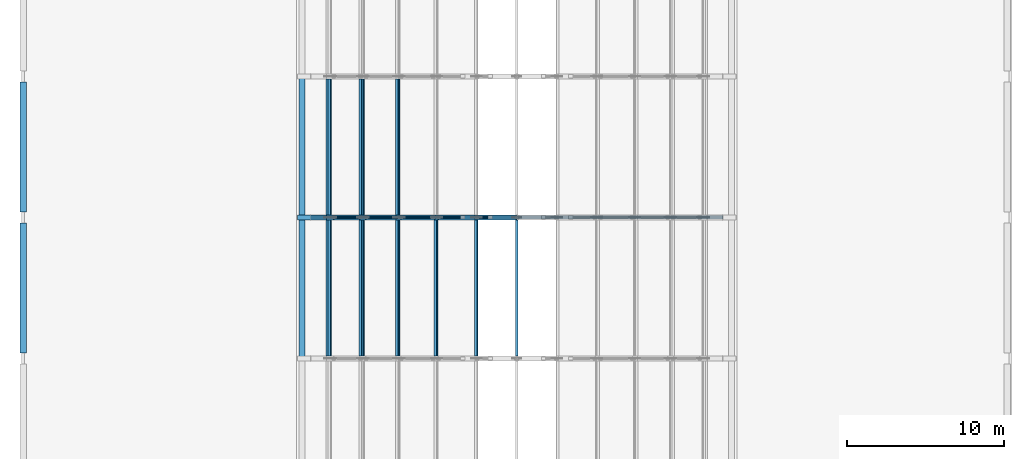
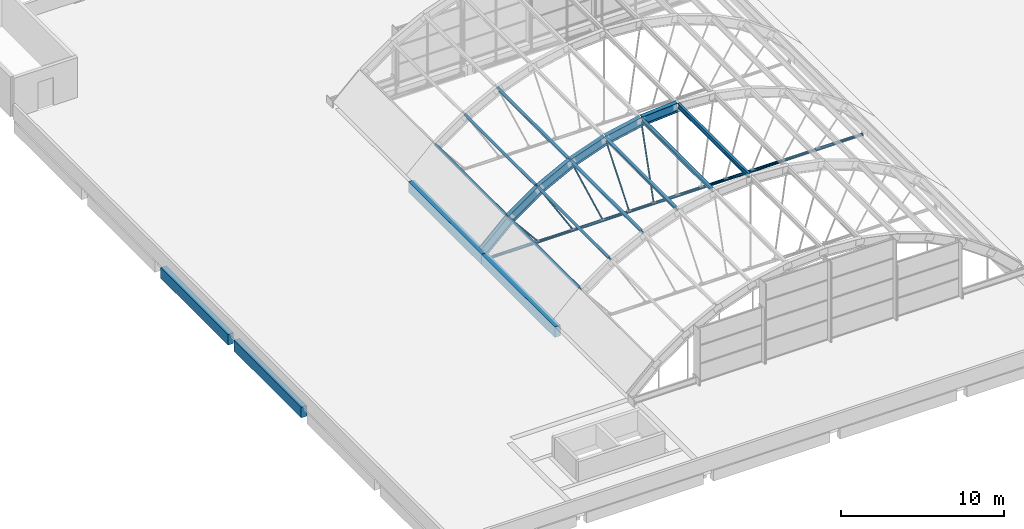
# One storey, part 10 of 43: 15 members, 10 beams.
"""IFC4 building model written with IfcOpenShell, lengths in metres."""

from ifc_helpers import new_model, si_unit, direction, frame, origin, origin_2d, place, context, subcontext, project, spatial, rectangle, hollow_circle, i_section, extrude, material, material_profile, profile_set, type_object, element, save


model = new_model("IFC4")

# Units and contexts
model_context = context("Model", 3, precision=1e-05, world=origin(), true_north=direction((0.0, 1.0)))
body_context = subcontext(model_context, "Body", "Model", "MODEL_VIEW")
ifc_project = project(units=[si_unit("LENGTHUNIT", "METRE"), si_unit("AREAUNIT", "SQUARE_METRE"), si_unit("VOLUMEUNIT", "CUBIC_METRE"), si_unit("PLANEANGLEUNIT", "RADIAN"), si_unit("MASSUNIT", "GRAM", prefix="KILO")], contexts=[model_context])

# Site, building, storey
site_placement = place(None, origin())
site = spatial("IfcSite", under=ifc_project, at=site_placement, CompositionType="ELEMENT")
building_placement = place(site_placement, origin())
building = spatial("IfcBuilding", under=site, at=building_placement, Name="Guidao Yard Department Store", CompositionType="ELEMENT")
storey_placement = place(building_placement, frame((0.0, 0.0, 28.5)))
storey = spatial("IfcBuildingStorey", under=building, at=storey_placement, Name="L06", CompositionType="ELEMENT", Elevation=28.5)

# Members
ifc_material_1 = material(Name="Steel Q355B", Category="steel")
ifc_material_profile_1 = material_profile(ifc_material_1, hollow_circle(Radius=0.056884765625, WallThickness=0.006103515625, at=origin_2d()), Name="CHS 114x6")
ifc_profile_set_1 = profile_set([ifc_material_profile_1], Name="Steel Q355B")
member_type_1 = type_object("IfcMemberType", Name="CHS 114x6", PredefinedType="BRACE", material=ifc_profile_set_1)
member_1_placement = place(storey_placement, frame((21.531982421875, 72.0, -0.33447265625), z_axis=(-0.634904146186, 0.0, 0.772590917081), x_axis=(0.0, -1.0, 0.0)))
element("IfcMember", 1, at=member_1_placement, inside=storey, type_object=member_type_1, Name="Roof web strut A03-01", PredefinedType="BRACE", context=body_context, shape_type="SweptSolid", body=[
    extrude(hollow_circle(Radius=0.056884765625, WallThickness=0.006103515625, at=origin_2d()), origin(), (0.0, 0.0, 1.0), 2.686279296875),
])
member_2_placement = place(storey_placement, frame((24.040283203125, 72.0, -0.33447265625), z_axis=(-0.522090893474, 0.0, 0.852889851594), x_axis=(0.0, -1.0, 0.0)))
element("IfcMember", 2, at=member_2_placement, inside=storey, type_object=member_type_1, Name="Roof web strut A03-02", PredefinedType="BRACE", context=body_context, shape_type="SweptSolid", body=[
    extrude(hollow_circle(Radius=0.056884765625, WallThickness=0.006103515625, at=origin_2d()), origin(), (0.0, 0.0, 1.0), 4.14404296875),
])
member_3_placement = place(storey_placement, frame((26.164306640625, 72.0, -0.33447265625), z_axis=(-0.399904458312, 0.0, 0.916556830874), x_axis=(0.0, -1.0, 0.0)))
element("IfcMember", 3, at=member_3_placement, inside=storey, type_object=member_type_1, Name="Roof web strut A03-03", PredefinedType="BRACE", context=body_context, shape_type="SweptSolid", body=[
    extrude(hollow_circle(Radius=0.056884765625, WallThickness=0.006103515625, at=origin_2d()), origin(), (0.0, 0.0, 1.0), 5.127685546875),
])
member_4_placement = place(storey_placement, frame((28.053955078125, 72.0, -0.33447265625), z_axis=(-0.270550525701, 0.0, 0.962705776986), x_axis=(0.0, -1.0, 0.0)))
element("IfcMember", 4, at=member_4_placement, inside=storey, type_object=member_type_1, Name="Roof web strut A03-04", PredefinedType="BRACE", context=body_context, shape_type="SweptSolid", body=[
    extrude(hollow_circle(Radius=0.056884765625, WallThickness=0.006103515625, at=origin_2d()), origin(), (0.0, 0.0, 1.0), 5.763427734375),
])
member_5_placement = place(storey_placement, frame((29.80810546875, 72.0, -0.33447265625), z_axis=(-0.136467360836, 0.0, 0.990644567656), x_axis=(0.0, -1.0, 0.0)))
element("IfcMember", 5, at=member_5_placement, inside=storey, type_object=member_type_1, Name="Roof web strut A03-05", PredefinedType="BRACE", context=body_context, shape_type="SweptSolid", body=[
    extrude(hollow_circle(Radius=0.056884765625, WallThickness=0.006103515625, at=origin_2d()), origin(), (0.0, 0.0, 1.0), 6.1220703125),
])
ifc_material_2 = material(Name="Steel Q355B", Category="steel")
ifc_material_profile_2 = material_profile(ifc_material_2, hollow_circle(Radius=0.109619140625, WallThickness=0.010009765625, at=origin_2d()), Name="CHS 219x10")
ifc_profile_set_2 = profile_set([ifc_material_profile_2], Name="Steel Q355B")
member_type_2 = type_object("IfcMemberType", Name="CHS 219x10", PredefinedType="BRACE", material=ifc_profile_set_2)
member_6_placement = place(storey_placement, frame((18.35009765625, 72.0, -0.449951171875), z_axis=(1.0, 0.0, 0.0), x_axis=(0.0, 1.0, 0.0)))
element("IfcMember", 6, at=member_6_placement, inside=storey, type_object=member_type_2, Name="Roof tie rod A03", PredefinedType="BRACE", context=body_context, shape_type="SweptSolid", body=[
    extrude(hollow_circle(Radius=0.109619140625, WallThickness=0.010009765625, at=origin_2d()), origin(), (0.0, 0.0, 1.0), 26.2998046875),
])
ifc_material_3 = material(Name="Steel Q355B", Category="steel")
ifc_material_profile_3 = material_profile(ifc_material_3, i_section(OverallWidth=0.175048828125, OverallDepth=0.35009765625, WebThickness=0.007080078125, FlangeThickness=0.010986328125, FilletRadius=0.012939453125, at=origin_2d()), Name="HN 350x175x7x11")
ifc_profile_set_3 = profile_set([ifc_material_profile_3], Name="Steel Q355B")
member_type_3 = type_object("IfcMemberType", Name="HN 350x175x7x11", PredefinedType="PURLIN", material=ifc_profile_set_3)
for number, where, z_axis, x_axis, name in (
    (7, (19.495849609375, 63.14990234375, 2.14306640625), (0.0, 1.0, 0.0), (-0.772569517273, 0.0, -0.634930185911), "Roof purlin A02-01"),
    (8, (19.495849609375, 72.14990234375, 2.14306640625), (0.0, 1.0, 0.0), (-0.772569517273, 0.0, -0.634930185911), "Roof purlin A03-01"),
    (9, (21.604736328125, 63.14990234375, 3.643798828125), (0.0, 1.0, 0.0), (-0.852874237271, 0.0, -0.522116400239), "Roof purlin A02-02"),
    (10, (21.604736328125, 72.14990234375, 3.643798828125), (0.0, 1.0, 0.0), (-0.852874237271, 0.0, -0.522116400239), "Roof purlin A03-02"),
    (11, (23.90576171875, 63.14990234375, 4.84228515625), (0.0, 1.0, 0.0), (-0.916571220375, 0.0, -0.399871476828), "Roof purlin A02-03"),
    (12, (23.90576171875, 72.14990234375, 4.84228515625), (0.0, 1.0, 0.0), (-0.916571220375, 0.0, -0.399871476828), "Roof purlin A03-03"),
    (13, (26.353759765625, 63.14990234375, 5.71533203125), (0.0, 1.0, 0.0), (-0.962711909047, 0.0, -0.270528704906), "Roof purlin A02-04"),
    (14, (28.901611328125, 63.14990234375, 6.24609375), (0.0, 1.0, 0.0), (-0.990647128966, 0.0, -0.13644876647), "Roof purlin A02-05"),
    (15, (31.5, 63.14990234375, 6.424072265625), (0.0, 1.0, 0.0), (-1.0, 0.0, 0.0), "Roof purlin A02-06"),
):
    element("IfcMember", number, at=place(storey_placement, frame(where, z_axis=z_axis, x_axis=x_axis)), inside=storey, type_object=member_type_3, Name=name, PredefinedType="PURLIN", context=body_context, shape_type="SweptSolid", body=[
        extrude(i_section(OverallWidth=0.175048828125, OverallDepth=0.35009765625, WebThickness=0.007080078125, FlangeThickness=0.010986328125, FilletRadius=0.012939453125, at=origin_2d()), origin(), (0.0, 0.0, 1.0), 8.7001953125),
    ])

# Beams
ifc_material_4 = material(Name="Steel Q355B", Category="steel")
ifc_material_profile_4 = material_profile(ifc_material_4, i_section(OverallWidth=0.300048828125, OverallDepth=0.699951171875, WebThickness=0.012939453125, FlangeThickness=0.02392578125, FilletRadius=0.01806640625, at=origin_2d()), Name="HN 700x300x13x24")
ifc_profile_set_4 = profile_set([ifc_material_profile_4], Name="Steel Q355B")
beam_type_1 = type_object("IfcBeamType", Name="HN 700x300x13x24", PredefinedType="BEAM", material=ifc_profile_set_4)
beam_1_placement = place(storey_placement, frame((17.74462890625, 72.0, 0.25439453125), z_axis=(0.726628290109, 0.0, 0.687030805724), x_axis=(0.0, 1.0, 0.0)))
element("IfcBeam", 16, at=beam_1_placement, inside=storey, type_object=beam_type_1, Name="Roof rib A03-01", PredefinedType="BEAM", context=body_context, shape_type="SweptSolid", body=[
    extrude(i_section(OverallWidth=0.300048828125, OverallDepth=0.699951171875, WebThickness=0.012939453125, FlangeThickness=0.02392578125, FilletRadius=0.01806640625, at=origin_2d()), origin(), (0.0, 0.0, 1.0), 2.533935546875),
])
beam_2_placement = place(storey_placement, frame((19.62353515625, 72.0, 2.026123046875), z_axis=(0.814735308412, 0.0, 0.579833059791), x_axis=(0.0, 1.0, 0.0)))
element("IfcBeam", 17, at=beam_2_placement, inside=storey, type_object=beam_type_1, Name="Roof rib A03-02", PredefinedType="BEAM", context=body_context, shape_type="SweptSolid", body=[
    extrude(i_section(OverallWidth=0.300048828125, OverallDepth=0.699951171875, WebThickness=0.012939453125, FlangeThickness=0.02392578125, FilletRadius=0.01806640625, at=origin_2d()), origin(), (0.0, 0.0, 1.0), 2.51611328125),
])
beam_3_placement = place(storey_placement, frame((21.71484375, 72.0, 3.51025390625), z_axis=(0.886910779875, 0.0, 0.461940763023), x_axis=(0.0, 1.0, 0.0)))
element("IfcBeam", 18, at=beam_3_placement, inside=storey, type_object=beam_type_1, Name="Roof rib A03-03", PredefinedType="BEAM", context=body_context, shape_type="SweptSolid", body=[
    extrude(i_section(OverallWidth=0.300048828125, OverallDepth=0.699951171875, WebThickness=0.012939453125, FlangeThickness=0.02392578125, FilletRadius=0.01806640625, at=origin_2d()), origin(), (0.0, 0.0, 1.0), 2.5224609375),
])
beam_4_placement = place(storey_placement, frame((23.996337890625, 72.0, 4.69482421875), z_axis=(0.94189041097, 0.0, 0.335920308588), x_axis=(0.0, 1.0, 0.0)))
element("IfcBeam", 19, at=beam_4_placement, inside=storey, type_object=beam_type_1, Name="Roof rib A03-04", PredefinedType="BEAM", context=body_context, shape_type="SweptSolid", body=[
    extrude(i_section(OverallWidth=0.300048828125, OverallDepth=0.699951171875, WebThickness=0.012939453125, FlangeThickness=0.02392578125, FilletRadius=0.01806640625, at=origin_2d()), origin(), (0.0, 0.0, 1.0), 2.52783203125),
])
beam_5_placement = place(storey_placement, frame((26.42333984375, 72.0, 5.556884765625), z_axis=(0.978991652307, 0.0, 0.203900330343), x_axis=(0.0, 1.0, 0.0)))
element("IfcBeam", 20, at=beam_5_placement, inside=storey, type_object=beam_type_1, Name="Roof rib A03-05", PredefinedType="BEAM", context=body_context, shape_type="SweptSolid", body=[
    extrude(i_section(OverallWidth=0.300048828125, OverallDepth=0.699951171875, WebThickness=0.012939453125, FlangeThickness=0.02392578125, FilletRadius=0.01806640625, at=origin_2d()), origin(), (0.0, 0.0, 1.0), 2.53125),
])
beam_6_placement = place(storey_placement, frame((28.94873046875, 72.0, 6.07958984375), z_axis=(0.997662835171, 0.0, 0.06832911033), x_axis=(0.0, 1.0, 0.0)))
element("IfcBeam", 21, at=beam_6_placement, inside=storey, type_object=beam_type_1, Name="Roof rib A03-06", PredefinedType="BEAM", context=body_context, shape_type="SweptSolid", body=[
    extrude(i_section(OverallWidth=0.300048828125, OverallDepth=0.699951171875, WebThickness=0.012939453125, FlangeThickness=0.02392578125, FilletRadius=0.01806640625, at=origin_2d()), origin(), (0.0, 0.0, 1.0), 2.533203125),
])
ifc_material_5 = material(Name="Concrete C40", Category="concrete")
ifc_material_profile_5 = material_profile(ifc_material_5, rectangle(XDim=0.39990234375, YDim=0.800048828125, at=origin_2d()), Name="Spandrel beam 400 x 800 C40")
ifc_profile_set_5 = profile_set([ifc_material_profile_5], Name="Concrete C40")
beam_type_2 = type_object("IfcBeamType", Name="Spandrel beam 400 x 800 C40", PredefinedType="SPANDREL", material=ifc_profile_set_5)
for number, where, z_axis, x_axis, name in (
    (22, (0.0, 63.35009765625, -0.39990234375), (0.0, 1.0, 0.0), (-1.0, 0.0, 0.0), "Beam EB21"),
    (23, (0.0, 72.35009765625, -0.39990234375), (0.0, 1.0, 0.0), (-1.0, 0.0, 0.0), "Beam EB22"),
):
    element("IfcBeam", number, at=place(storey_placement, frame(where, z_axis=z_axis, x_axis=x_axis)), inside=storey, type_object=beam_type_2, Name=name, PredefinedType="SPANDREL", context=body_context, shape_type="SweptSolid", body=[
        extrude(rectangle(XDim=0.39990234375, YDim=0.800048828125, at=origin_2d()), origin(), (0.0, 0.0, 1.0), 8.2998046875),
    ])
ifc_material_6 = material(Name="Concrete C40", Category="concrete")
ifc_material_profile_6 = material_profile(ifc_material_6, rectangle(XDim=0.39990234375, YDim=0.800048828125, at=origin_2d()), Name="Vault bearing beam 400 x 800 C40")
ifc_profile_set_6 = profile_set([ifc_material_profile_6], Name="Concrete C40")
beam_type_3 = type_object("IfcBeamType", Name="Vault bearing beam 400 x 800 C40", PredefinedType="BEAM", material=ifc_profile_set_6)
for number, where, z_axis, x_axis, name in (
    (24, (17.800048828125, 63.0, -0.39990234375), (0.0, 1.0, 0.0), (-1.0, 0.0, 0.0), "Beam VB02"),
    (25, (17.800048828125, 72.0, -0.39990234375), (0.0, 1.0, 0.0), (-1.0, 0.0, 0.0), "Beam VB03"),
):
    element("IfcBeam", number, at=place(storey_placement, frame(where, z_axis=z_axis, x_axis=x_axis)), inside=storey, type_object=beam_type_3, Name=name, PredefinedType="BEAM", context=body_context, shape_type="SweptSolid", body=[
        extrude(rectangle(XDim=0.39990234375, YDim=0.800048828125, at=origin_2d()), origin(), (0.0, 0.0, 1.0), 9.0),
    ])

save(model, "model.ifc")
